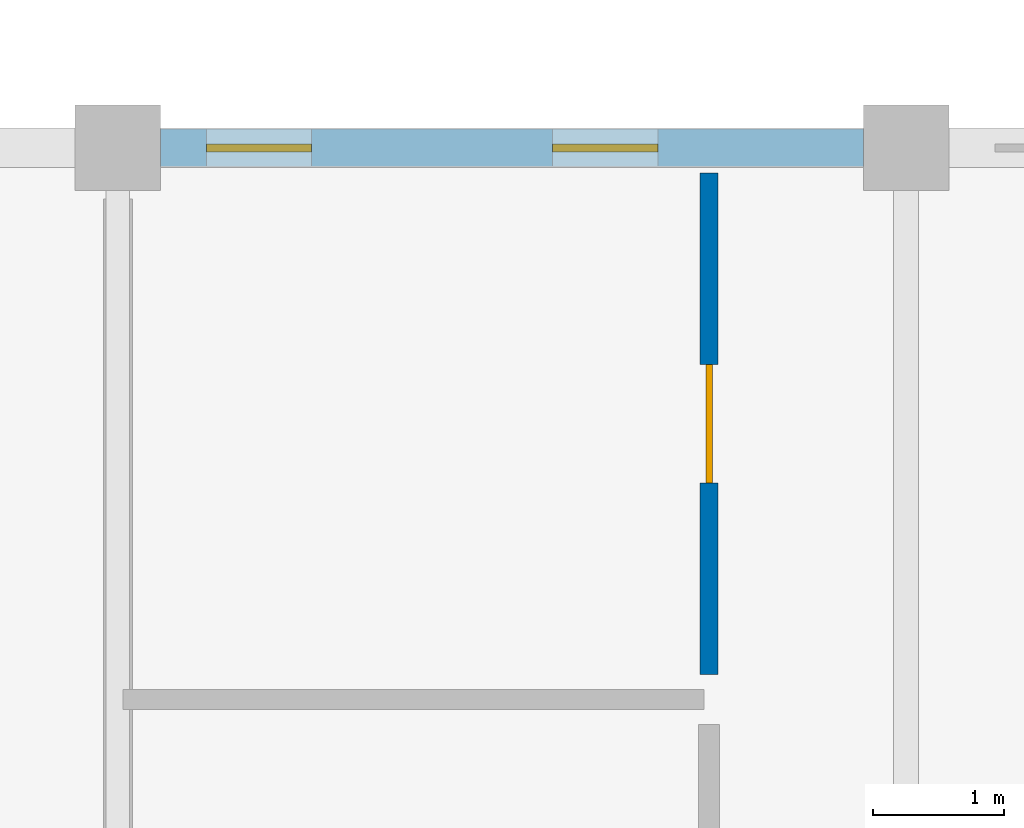
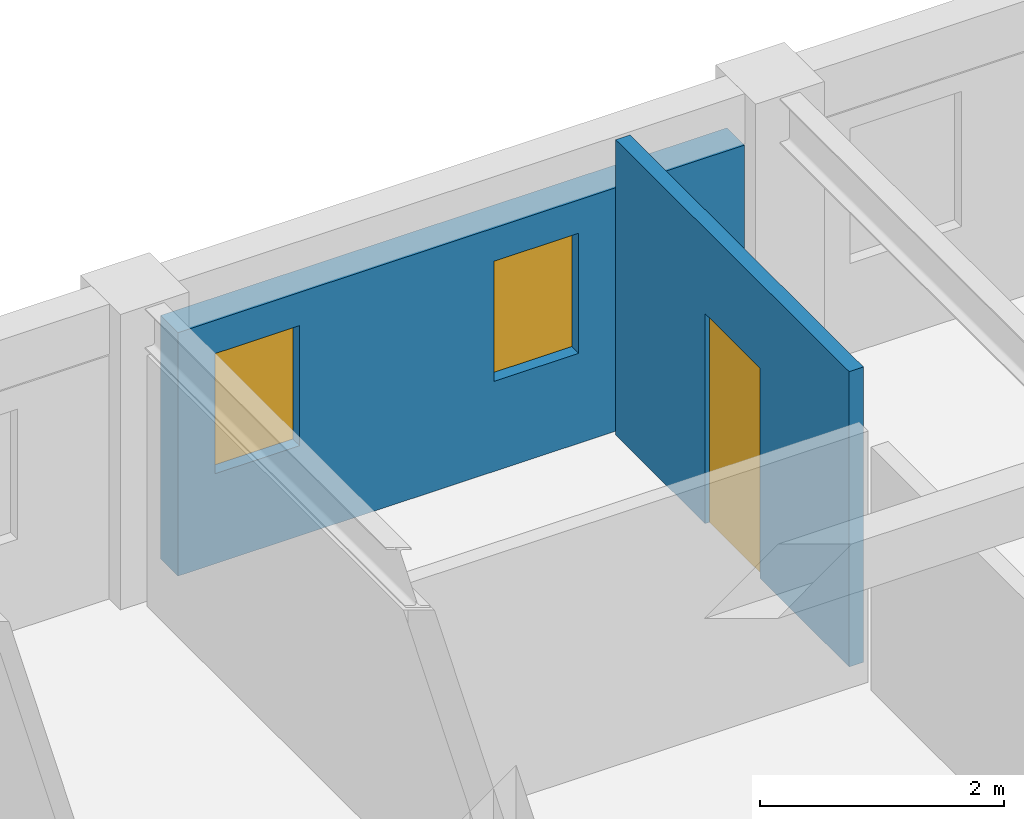
# One storey, part 66 of 100: 2 walls, 2 windows, 1 door, 3 openings.
"""IFC4 building model written with IfcOpenShell, lengths in metres."""

from ifc_helpers import new_model, si_unit, direction, frame, frame_2d, origin, place, context, subcontext, project, spatial, rectangle, extrude, material, layer, layer_set, type_object, element, fill, save


model = new_model("IFC4")

# Units and contexts
model_context = context("Model", 3, precision=1e-05, world=origin(), true_north=direction((0.0, 1.0)))
body_context = subcontext(model_context, "Body", "Model", "MODEL_VIEW")
ifc_project = project(units=[si_unit("LENGTHUNIT", "METRE"), si_unit("AREAUNIT", "SQUARE_METRE"), si_unit("VOLUMEUNIT", "CUBIC_METRE"), si_unit("PLANEANGLEUNIT", "RADIAN"), si_unit("MASSUNIT", "GRAM", prefix="KILO"), si_unit("POWERUNIT", "WATT"), si_unit("THERMODYNAMICTEMPERATUREUNIT", "KELVIN")], contexts=[model_context])

# Site, building, storey
site_placement = place(None, origin())
site = spatial("IfcSite", under=ifc_project, at=site_placement, CompositionType="ELEMENT")
building_placement = place(site_placement, origin())
building = spatial("IfcBuilding", under=site, at=building_placement, Name="Ruvembo Vaulted Housing Court", CompositionType="ELEMENT")
storey_placement = place(building_placement, frame((0.0, 0.0, 14.10009765625)))
storey = spatial("IfcBuildingStorey", under=building, at=storey_placement, Name="L04", CompositionType="ELEMENT", Elevation=14.10009765625)

# Wall, openings, windows
ifc_material_1 = material(Name="Rendered Masonry 285", Category="masonry")
ifc_layer_1 = layer(ifc_material_1, 0.284912109375, Name="Rendered Masonry 285")
ifc_layer_set_1 = layer_set([ifc_layer_1], Name="Rendered Masonry 285")
wall_type_1 = type_object("IfcWallType", Name="WL-EXT-285", PredefinedType="STANDARD", material=ifc_layer_set_1)
wall_1_placement = place(storey_placement, frame((125.675048828125, 36.0, 0.0), z_axis=(0.0, 0.0, 1.0), x_axis=(-1.0, 0.0, 0.0)))
wall_1 = element("IfcWall", 1, at=wall_1_placement, inside=storey, type_object=wall_type_1, Name="Block C L04 Exterior Wall COURTYARD #3", PredefinedType="STANDARD", context=body_context, shape_type="SweptSolid", body=[
    extrude(rectangle(XDim=5.35009765625, YDim=0.284912109375, at=frame_2d((2.675048828125, 0.0))), origin(), (0.0, 0.0, 1.0), 2.431884765625),
])
opening_1_placement = place(wall_1_placement, frame((1.56494140625, 0.0, 0.89990234375)))
opening_1 = element("IfcOpeningElement", 2, at=opening_1_placement, cuts=wall_1, Name="Opening W02", PredefinedType="OPENING", context=body_context, shape_type="SweptSolid", body=[
    extrude(rectangle(XDim=0.800048828125, YDim=1.199951171875, at=frame_2d((0.39990234375, 0.60009765625))), frame((0.0, 0.15234375, 0.0), z_axis=(0.0, -1.0, 0.0), x_axis=(1.0, 0.0, 0.0)), (0.0, 0.0, 1.0), 0.304931640625),
])
opening_2_placement = place(wall_1_placement, frame((4.199951171875, 0.0, 0.89990234375)))
opening_2 = element("IfcOpeningElement", 3, at=opening_2_placement, cuts=wall_1, Name="Opening W02", PredefinedType="OPENING", context=body_context, shape_type="SweptSolid", body=[
    extrude(rectangle(XDim=0.800048828125, YDim=1.199951171875, at=frame_2d((0.39990234375, 0.60009765625))), frame((0.0, 0.15234375, 0.0), z_axis=(0.0, -1.0, 0.0), x_axis=(1.0, 0.0, 0.0)), (0.0, 0.0, 1.0), 0.304931640625),
])
ifc_material_2 = material(Name="Double Solar-Control Glazing in Aluminium Frame", Category="aluminium")
window_type = type_object("IfcWindowType", Name="WIN-0800x1200", PartitioningType="SINGLE_PANEL", PredefinedType="WINDOW", material=ifc_material_2)
window_1_placement = place(opening_1_placement, origin())
window_1 = element("IfcWindow", 4, at=window_1_placement, inside=storey, type_object=window_type, Name="Block C L04 Window #1266", OverallHeight=1.199951171875, OverallWidth=0.800048828125, PartitioningType="SINGLE_PANEL", PredefinedType="WINDOW", context=body_context, shape_type="SweptSolid", body=[
    extrude(rectangle(XDim=0.800048828125, YDim=1.199951171875, at=frame_2d((0.39990234375, 0.60009765625))), frame((0.0, 0.030029296875, 0.0), z_axis=(0.0, -1.0, 0.0), x_axis=(1.0, 0.0, 0.0)), (0.0, 0.0, 1.0), 0.06005859375),
])
fill(opening_1, window_1)
window_2_placement = place(opening_2_placement, origin())
window_2 = element("IfcWindow", 5, at=window_2_placement, inside=storey, type_object=window_type, Name="Block C L04 Window #1267", OverallHeight=1.199951171875, OverallWidth=0.800048828125, PartitioningType="SINGLE_PANEL", PredefinedType="WINDOW", context=body_context, shape_type="SweptSolid", body=[
    extrude(rectangle(XDim=0.800048828125, YDim=1.199951171875, at=frame_2d((0.39990234375, 0.60009765625))), frame((0.0, 0.030029296875, 0.0), z_axis=(0.0, -1.0, 0.0), x_axis=(1.0, 0.0, 0.0)), (0.0, 0.0, 1.0), 0.06005859375),
])
fill(opening_2, window_2)

# Wall, opening, door
ifc_material_3 = material(Name="Acoustic Stud Partition 135", Category="gypsum")
ifc_layer_2 = layer(ifc_material_3, 0.135009765625, Name="Acoustic Stud Partition 135")
ifc_layer_set_2 = layer_set([ifc_layer_2], Name="Acoustic Stud Partition 135")
wall_type_2 = type_object("IfcWallType", Name="WL-PART-135", PredefinedType="PARTITIONING", material=ifc_layer_set_2)
wall_2_placement = place(storey_placement, frame((124.5, 31.989990234375, 0.0), z_axis=(0.0, 0.0, 1.0), x_axis=(0.0, 1.0, 0.0)))
wall_2 = element("IfcWall", 6, at=wall_2_placement, inside=storey, type_object=wall_type_2, Name="L04 Flat C-L04-N2 Bedroom 1 WL-INT-L04-01230", PredefinedType="PARTITIONING", context=body_context, shape_type="SweptSolid", body=[
    extrude(rectangle(XDim=3.820068359375, YDim=0.135009765625, at=frame_2d((1.91015625, 0.0))), origin(), (0.0, 0.0, 1.0), 2.949951171875),
])
opening_3_placement = place(wall_2_placement, frame((1.4599609375, 0.0, 0.0)))
opening_3 = element("IfcOpeningElement", 7, at=opening_3_placement, cuts=wall_2, Name="Opening ID1", PredefinedType="OPENING", context=body_context, shape_type="SweptSolid", body=[
    extrude(rectangle(XDim=0.89990234375, YDim=2.10009765625, at=frame_2d((0.449951171875, 1.050048828125))), frame((0.0, 0.077392578125, 0.0), z_axis=(0.0, -1.0, 0.0), x_axis=(1.0, 0.0, 0.0)), (0.0, 0.0, 1.0), 0.155029296875),
])
ifc_material_4 = material(Name="FSC Hardwood and Engineered Timber", Category="wood")
door_type = type_object("IfcDoorType", Name="DR-ROOM-0900x2100", OperationType="NOTDEFINED", PredefinedType="DOOR", material=ifc_material_4)
door_placement = place(opening_3_placement, origin())
door = element("IfcDoor", 8, at=door_placement, inside=storey, type_object=door_type, Name="L04 Flat C-L04-N2 Bedroom 1 Door DR-INT-L04-00686", OperationType="SINGLE_SWING_RIGHT", OverallHeight=2.10009765625, OverallWidth=0.89990234375, PredefinedType="DOOR", context=body_context, shape_type="SweptSolid", body=[
    extrude(rectangle(XDim=0.89990234375, YDim=2.10009765625, at=frame_2d((0.449951171875, 1.050048828125))), frame((0.0, 0.02490234375, 0.0), z_axis=(0.0, -1.0, 0.0), x_axis=(1.0, 0.0, 0.0)), (0.0, 0.0, 1.0), 0.050048828125),
])
fill(opening_3, door)

save(model, "model.ifc")
